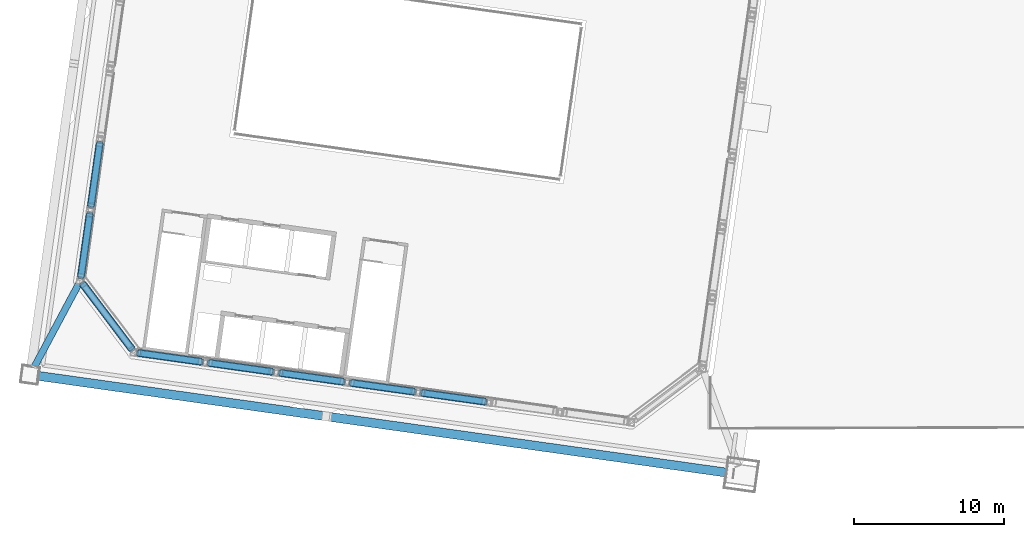
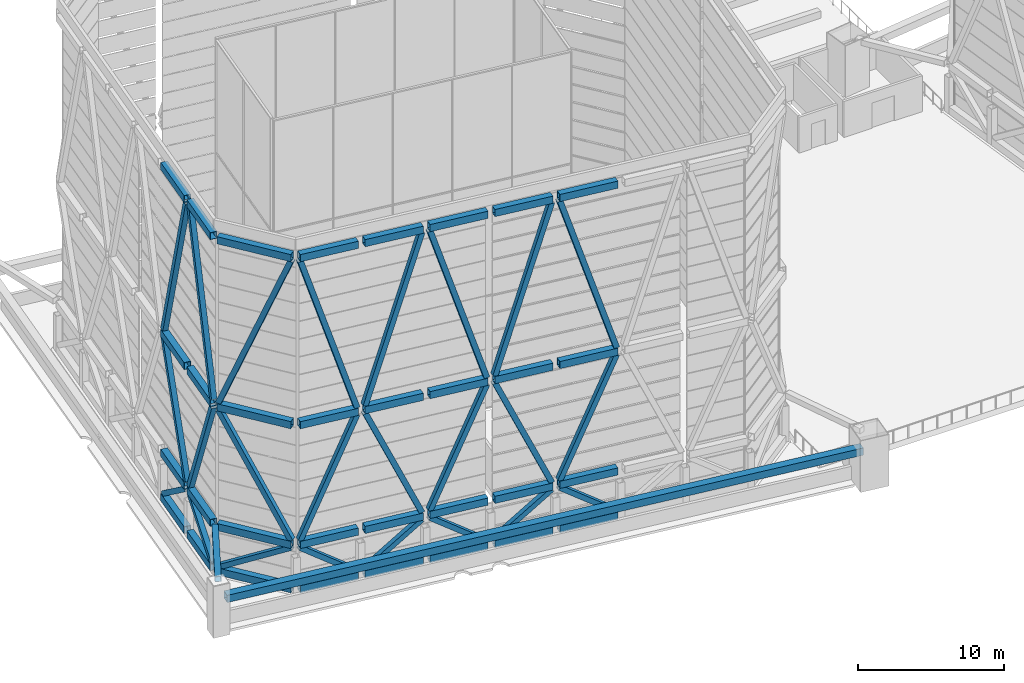
# One storey, part 3 of 45: 32 beams, 26 members.
"""IFC4 building model written with IfcOpenShell, lengths in metres."""

from ifc_helpers import new_model, si_unit, direction, frame, origin, origin_2d, place, context, subcontext, project, spatial, hollow_rectangle, extrude, material, material_profile, profile_set, type_object, element, save


model = new_model("IFC4")

# Units and contexts
model_context = context("Model", 3, precision=1e-05, world=origin(), true_north=direction((0.0, 1.0)))
body_context = subcontext(model_context, "Body", "Model", "MODEL_VIEW")
ifc_project = project(units=[si_unit("LENGTHUNIT", "METRE"), si_unit("AREAUNIT", "SQUARE_METRE"), si_unit("VOLUMEUNIT", "CUBIC_METRE"), si_unit("PLANEANGLEUNIT", "RADIAN"), si_unit("MASSUNIT", "GRAM", prefix="KILO")], contexts=[model_context])

# Site, building, storey
site_placement = place(None, origin())
site = spatial("IfcSite", under=ifc_project, at=site_placement, CompositionType="ELEMENT")
building_placement = place(site_placement, origin())
building = spatial("IfcBuilding", under=site, at=building_placement, Name="Mirante Cascada Hotel Towers", CompositionType="ELEMENT")
storey_placement = place(building_placement, frame((0.0, 0.0, 269.8)))
storey = spatial("IfcBuildingStorey", under=building, at=storey_placement, Name="Roof garden", CompositionType="ELEMENT", Elevation=269.8)

# Beams
ifc_material_1 = material(Name="Steel ASTM A572 Gr 50", Category="steel")
ifc_material_profile_1 = material_profile(ifc_material_1, hollow_rectangle(XDim=0.5, YDim=0.6, WallThickness=0.03, at=origin_2d()), Name="Box beam 600x500x30 ASTM A572 Gr 50")
ifc_profile_set_1 = profile_set([ifc_material_profile_1], Name="Steel ASTM A572 Gr 50")
beam_type = type_object("IfcBeamType", Name="Box beam 600x500x30 ASTM A572 Gr 50", PredefinedType="BEAM", material=ifc_profile_set_1)
for number, where, z_axis, x_axis, name in (
    (1, (-56.9904, -3.2773, 0.3), (-0.1391888, -0.9902659, 0.0), (0.9902659, -0.1391888, 0.0), "CROWN FRAME ring beam T1 21"),
    (2, (-57.6545, -8.0021, 0.3), (-0.1391659, -0.9902691, 0.0), (0.9902691, -0.1391659, 0.0), "CROWN FRAME ring beam T1 22"),
):
    element("IfcBeam", number, at=place(storey_placement, frame(where, z_axis=z_axis, x_axis=x_axis)), inside=storey, type_object=beam_type, Name=name, PredefinedType="BEAM", context=body_context, shape_type="SweptSolid", body=[
        extrude(hollow_rectangle(XDim=0.5, YDim=0.6, WallThickness=0.03, at=origin_2d()), origin(), (0.0, 0.0, 1.0), 4.2712),
    ])
beam_1_placement = place(storey_placement, frame((-58.1332, -12.6789, 0.3), z_axis=(0.6018021, -0.7986453, 0.0), x_axis=(0.7986453, 0.6018021, 0.0)))
element("IfcBeam", 3, at=beam_1_placement, inside=storey, type_object=beam_type, Name="CROWN FRAME ring beam T1 23", PredefinedType="BEAM", context=body_context, shape_type="SweptSolid", body=[
    extrude(hollow_rectangle(XDim=0.5, YDim=0.6, WallThickness=0.03, at=origin_2d()), origin(), (0.0, 0.0, 1.0), 5.4912),
])
for number, where, z_axis, x_axis, name in (
    (4, (-54.4305, -17.2988, 0.3), (0.9902679, -0.1391744, 0.0), (0.1391744, 0.9902679, 0.0), "CROWN FRAME ring beam T1 24"),
    (5, (-49.6896, -17.9651, 0.3), (0.9902679, -0.1391744, 0.0), (0.1391744, 0.9902679, 0.0), "CROWN FRAME ring beam T1 25"),
    (6, (-44.9487, -18.6314, 0.3), (0.9902679, -0.1391744, 0.0), (0.1391744, 0.9902679, 0.0), "CROWN FRAME ring beam T1 26"),
):
    element("IfcBeam", number, at=place(storey_placement, frame(where, z_axis=z_axis, x_axis=x_axis)), inside=storey, type_object=beam_type, Name=name, PredefinedType="BEAM", context=body_context, shape_type="SweptSolid", body=[
        extrude(hollow_rectangle(XDim=0.5, YDim=0.6, WallThickness=0.03, at=origin_2d()), origin(), (0.0, 0.0, 1.0), 4.2874),
    ])
for number, where, z_axis, x_axis, name in (
    (7, (-40.2079, -19.2977, 0.3), (0.9902683, -0.1391712, 0.0), (0.1391712, 0.9902683, 0.0), "CROWN FRAME ring beam T1 27"),
    (8, (-35.467, -19.964, 0.3), (0.9902683, -0.1391712, 0.0), (0.1391712, 0.9902683, 0.0), "CROWN FRAME ring beam T1 28"),
):
    element("IfcBeam", number, at=place(storey_placement, frame(where, z_axis=z_axis, x_axis=x_axis)), inside=storey, type_object=beam_type, Name=name, PredefinedType="BEAM", context=body_context, shape_type="SweptSolid", body=[
        extrude(hollow_rectangle(XDim=0.5, YDim=0.6, WallThickness=0.03, at=origin_2d()), origin(), (0.0, 0.0, 1.0), 4.2875),
    ])
for number, where, z_axis, x_axis, name in (
    (9, (-56.9904, -3.2773, 4.0), (-0.1391888, -0.9902659, 0.0), (0.9902659, -0.1391888, 0.0), "CROWN FRAME ring beam T1 51"),
    (10, (-57.6545, -8.0021, 4.0), (-0.1391659, -0.9902691, 0.0), (0.9902691, -0.1391659, 0.0), "CROWN FRAME ring beam T1 52"),
):
    element("IfcBeam", number, at=place(storey_placement, frame(where, z_axis=z_axis, x_axis=x_axis)), inside=storey, type_object=beam_type, Name=name, PredefinedType="BEAM", context=body_context, shape_type="SweptSolid", body=[
        extrude(hollow_rectangle(XDim=0.5, YDim=0.6, WallThickness=0.03, at=origin_2d()), origin(), (0.0, 0.0, 1.0), 4.2712),
    ])
beam_2_placement = place(storey_placement, frame((-58.1332, -12.6789, 4.0), z_axis=(0.6018021, -0.7986453, 0.0), x_axis=(0.7986453, 0.6018021, 0.0)))
element("IfcBeam", 11, at=beam_2_placement, inside=storey, type_object=beam_type, Name="CROWN FRAME ring beam T1 53", PredefinedType="BEAM", context=body_context, shape_type="SweptSolid", body=[
    extrude(hollow_rectangle(XDim=0.5, YDim=0.6, WallThickness=0.03, at=origin_2d()), origin(), (0.0, 0.0, 1.0), 5.4912),
])
for number, where, z_axis, x_axis, name in (
    (12, (-54.4305, -17.2988, 4.0), (0.9902679, -0.1391744, 0.0), (0.1391744, 0.9902679, 0.0), "CROWN FRAME ring beam T1 54"),
    (13, (-49.6896, -17.9651, 4.0), (0.9902679, -0.1391744, 0.0), (0.1391744, 0.9902679, 0.0), "CROWN FRAME ring beam T1 55"),
    (14, (-44.9487, -18.6314, 4.0), (0.9902679, -0.1391744, 0.0), (0.1391744, 0.9902679, 0.0), "CROWN FRAME ring beam T1 56"),
):
    element("IfcBeam", number, at=place(storey_placement, frame(where, z_axis=z_axis, x_axis=x_axis)), inside=storey, type_object=beam_type, Name=name, PredefinedType="BEAM", context=body_context, shape_type="SweptSolid", body=[
        extrude(hollow_rectangle(XDim=0.5, YDim=0.6, WallThickness=0.03, at=origin_2d()), origin(), (0.0, 0.0, 1.0), 4.2874),
    ])
for number, where, z_axis, x_axis, name in (
    (15, (-40.2079, -19.2977, 4.0), (0.9902683, -0.1391712, 0.0), (0.1391712, 0.9902683, 0.0), "CROWN FRAME ring beam T1 57"),
    (16, (-35.467, -19.964, 4.0), (0.9902683, -0.1391712, 0.0), (0.1391712, 0.9902683, 0.0), "CROWN FRAME ring beam T1 58"),
):
    element("IfcBeam", number, at=place(storey_placement, frame(where, z_axis=z_axis, x_axis=x_axis)), inside=storey, type_object=beam_type, Name=name, PredefinedType="BEAM", context=body_context, shape_type="SweptSolid", body=[
        extrude(hollow_rectangle(XDim=0.5, YDim=0.6, WallThickness=0.03, at=origin_2d()), origin(), (0.0, 0.0, 1.0), 4.2875),
    ])
for number, where, z_axis, x_axis, name in (
    (17, (-56.9904, -3.2773, 14.0), (-0.1391888, -0.9902659, 0.0), (0.9902659, -0.1391888, 0.0), "CROWN FRAME ring beam T1 81"),
    (18, (-57.6545, -8.0021, 14.0), (-0.1391659, -0.9902691, 0.0), (0.9902691, -0.1391659, 0.0), "CROWN FRAME ring beam T1 82"),
):
    element("IfcBeam", number, at=place(storey_placement, frame(where, z_axis=z_axis, x_axis=x_axis)), inside=storey, type_object=beam_type, Name=name, PredefinedType="BEAM", context=body_context, shape_type="SweptSolid", body=[
        extrude(hollow_rectangle(XDim=0.5, YDim=0.6, WallThickness=0.03, at=origin_2d()), origin(), (0.0, 0.0, 1.0), 4.2712),
    ])
beam_3_placement = place(storey_placement, frame((-58.1332, -12.6789, 14.0), z_axis=(0.6018021, -0.7986453, 0.0), x_axis=(0.7986453, 0.6018021, 0.0)))
element("IfcBeam", 19, at=beam_3_placement, inside=storey, type_object=beam_type, Name="CROWN FRAME ring beam T1 83", PredefinedType="BEAM", context=body_context, shape_type="SweptSolid", body=[
    extrude(hollow_rectangle(XDim=0.5, YDim=0.6, WallThickness=0.03, at=origin_2d()), origin(), (0.0, 0.0, 1.0), 5.4912),
])
for number, where, z_axis, x_axis, name in (
    (20, (-54.4305, -17.2988, 14.0), (0.9902679, -0.1391744, 0.0), (0.1391744, 0.9902679, 0.0), "CROWN FRAME ring beam T1 84"),
    (21, (-49.6896, -17.9651, 14.0), (0.9902679, -0.1391744, 0.0), (0.1391744, 0.9902679, 0.0), "CROWN FRAME ring beam T1 85"),
    (22, (-44.9487, -18.6314, 14.0), (0.9902679, -0.1391744, 0.0), (0.1391744, 0.9902679, 0.0), "CROWN FRAME ring beam T1 86"),
):
    element("IfcBeam", number, at=place(storey_placement, frame(where, z_axis=z_axis, x_axis=x_axis)), inside=storey, type_object=beam_type, Name=name, PredefinedType="BEAM", context=body_context, shape_type="SweptSolid", body=[
        extrude(hollow_rectangle(XDim=0.5, YDim=0.6, WallThickness=0.03, at=origin_2d()), origin(), (0.0, 0.0, 1.0), 4.2874),
    ])
for number, where, z_axis, x_axis, name in (
    (23, (-40.2079, -19.2977, 14.0), (0.9902683, -0.1391712, 0.0), (0.1391712, 0.9902683, 0.0), "CROWN FRAME ring beam T1 87"),
    (24, (-35.467, -19.964, 14.0), (0.9902683, -0.1391712, 0.0), (0.1391712, 0.9902683, 0.0), "CROWN FRAME ring beam T1 88"),
):
    element("IfcBeam", number, at=place(storey_placement, frame(where, z_axis=z_axis, x_axis=x_axis)), inside=storey, type_object=beam_type, Name=name, PredefinedType="BEAM", context=body_context, shape_type="SweptSolid", body=[
        extrude(hollow_rectangle(XDim=0.5, YDim=0.6, WallThickness=0.03, at=origin_2d()), origin(), (0.0, 0.0, 1.0), 4.2875),
    ])
for number, where, z_axis, x_axis, name in (
    (25, (-56.9904, -3.2773, 27.95), (-0.1391888, -0.9902659, 0.0), (0.9902659, -0.1391888, 0.0), "CROWN FRAME ring beam T1 111"),
    (26, (-57.6545, -8.0021, 27.95), (-0.1391659, -0.9902691, 0.0), (0.9902691, -0.1391659, 0.0), "CROWN FRAME ring beam T1 112"),
):
    element("IfcBeam", number, at=place(storey_placement, frame(where, z_axis=z_axis, x_axis=x_axis)), inside=storey, type_object=beam_type, Name=name, PredefinedType="BEAM", context=body_context, shape_type="SweptSolid", body=[
        extrude(hollow_rectangle(XDim=0.5, YDim=0.6, WallThickness=0.03, at=origin_2d()), origin(), (0.0, 0.0, 1.0), 4.2712),
    ])
beam_4_placement = place(storey_placement, frame((-58.1332, -12.6789, 27.95), z_axis=(0.6018021, -0.7986453, 0.0), x_axis=(0.7986453, 0.6018021, 0.0)))
element("IfcBeam", 27, at=beam_4_placement, inside=storey, type_object=beam_type, Name="CROWN FRAME ring beam T1 113", PredefinedType="BEAM", context=body_context, shape_type="SweptSolid", body=[
    extrude(hollow_rectangle(XDim=0.5, YDim=0.6, WallThickness=0.03, at=origin_2d()), origin(), (0.0, 0.0, 1.0), 5.4912),
])
for number, where, z_axis, x_axis, name in (
    (28, (-54.4305, -17.2988, 27.95), (0.9902679, -0.1391744, 0.0), (0.1391744, 0.9902679, 0.0), "CROWN FRAME ring beam T1 114"),
    (29, (-49.6896, -17.9651, 27.95), (0.9902679, -0.1391744, 0.0), (0.1391744, 0.9902679, 0.0), "CROWN FRAME ring beam T1 115"),
    (30, (-44.9487, -18.6314, 27.95), (0.9902679, -0.1391744, 0.0), (0.1391744, 0.9902679, 0.0), "CROWN FRAME ring beam T1 116"),
):
    element("IfcBeam", number, at=place(storey_placement, frame(where, z_axis=z_axis, x_axis=x_axis)), inside=storey, type_object=beam_type, Name=name, PredefinedType="BEAM", context=body_context, shape_type="SweptSolid", body=[
        extrude(hollow_rectangle(XDim=0.5, YDim=0.6, WallThickness=0.03, at=origin_2d()), origin(), (0.0, 0.0, 1.0), 4.2874),
    ])
for number, where, z_axis, x_axis, name in (
    (31, (-40.2079, -19.2977, 27.95), (0.9902683, -0.1391712, 0.0), (0.1391712, 0.9902683, 0.0), "CROWN FRAME ring beam T1 117"),
    (32, (-35.467, -19.964, 27.95), (0.9902683, -0.1391712, 0.0), (0.1391712, 0.9902683, 0.0), "CROWN FRAME ring beam T1 118"),
):
    element("IfcBeam", number, at=place(storey_placement, frame(where, z_axis=z_axis, x_axis=x_axis)), inside=storey, type_object=beam_type, Name=name, PredefinedType="BEAM", context=body_context, shape_type="SweptSolid", body=[
        extrude(hollow_rectangle(XDim=0.5, YDim=0.6, WallThickness=0.03, at=origin_2d()), origin(), (0.0, 0.0, 1.0), 4.2875),
    ])

# Members
ifc_material_2 = material(Name="Steel ASTM A572 Gr 50", Category="steel")
ifc_material_profile_2 = material_profile(ifc_material_2, hollow_rectangle(XDim=0.4, YDim=0.4, WallThickness=0.025, at=origin_2d()), Name="Box brace 400x400x25 ASTM A572 Gr 50")
ifc_profile_set_2 = profile_set([ifc_material_profile_2], Name="Steel ASTM A572 Gr 50")
member_type_1 = type_object("IfcMemberType", Name="Box brace 400x400x25 ASTM A572 Gr 50", PredefinedType="BRACE", material=ifc_profile_set_2)
for number, where, z_axis, x_axis, name in (
    (33, (-56.9974, -3.3268, 0.6), (-0.111699, -0.7948043, 0.5964977), (0.9902687, -0.1391689, 0.0), "Hat truss diagonal T1 21"),
    (34, (-58.2419, -12.1822, 0.6), (0.111699, 0.7948043, 0.5964977), (-0.9902687, 0.1391689, 0.0), "Hat truss diagonal T1 22"),
):
    element("IfcMember", number, at=place(storey_placement, frame(where, z_axis=z_axis, x_axis=x_axis)), inside=storey, type_object=member_type_1, Name=name, PredefinedType="BRACE", context=body_context, shape_type="SweptSolid", body=[
        extrude(hollow_rectangle(XDim=0.4, YDim=0.4, WallThickness=0.025, at=origin_2d()), origin(), (0.0, 0.0, 1.0), 5.197),
    ])
member_1_placement = place(storey_placement, frame((-58.1031, -12.7188, 0.6), z_axis=(0.5217026, -0.6923446, 0.498483), x_axis=(0.7986446, 0.6018029, 0.0)))
element("IfcMember", 35, at=member_1_placement, inside=storey, type_object=member_type_1, Name="Hat truss diagonal T1 23", PredefinedType="BRACE", context=body_context, shape_type="SweptSolid", body=[
    extrude(hollow_rectangle(XDim=0.4, YDim=0.4, WallThickness=0.025, at=origin_2d()), origin(), (0.0, 0.0, 1.0), 6.2189),
])
for number, where, z_axis, x_axis, name in (
    (36, (-50.2343, -17.8886, 0.6), (-0.7959018, 0.1118604, 0.5950022), (-0.1391776, -0.9902674, 0.0), "Hat truss diagonal T1 24"),
    (37, (-49.6401, -17.9721, 0.6), (0.7959035, -0.1118415, 0.5950035), (0.1391542, 0.9902707, 0.0), "Hat truss diagonal T1 25"),
    (38, (-40.7525, -19.2211, 0.6), (-0.7959035, 0.1118415, 0.5950035), (-0.1391542, -0.9902707, 0.0), "Hat truss diagonal T1 26"),
    (39, (-40.1583, -19.3046, 0.6), (0.7959018, -0.1118604, 0.5950022), (0.1391776, 0.9902674, 0.0), "Hat truss diagonal T1 27"),
    (40, (-31.2707, -20.5537, 0.6), (-0.7959018, 0.1118604, 0.5950022), (-0.1391776, -0.9902674, 0.0), "Hat truss diagonal T1 28"),
):
    element("IfcMember", number, at=place(storey_placement, frame(where, z_axis=z_axis, x_axis=x_axis)), inside=storey, type_object=member_type_1, Name=name, PredefinedType="BRACE", context=body_context, shape_type="SweptSolid", body=[
        extrude(hollow_rectangle(XDim=0.4, YDim=0.4, WallThickness=0.025, at=origin_2d()), origin(), (0.0, 0.0, 1.0), 5.2101),
    ])
for number, where, z_axis, x_axis, name in (
    (41, (-57.5779, -7.4574, 4.3), (0.0564474, 0.4016565, 0.9140491), (-0.9902687, 0.1391689, 0.0), "CROWN FRAME brace T1 51"),
    (42, (-57.6614, -8.0516, 4.3), (-0.0564474, -0.4016565, 0.9140491), (0.9902687, -0.1391689, 0.0), "CROWN FRAME brace T1 52"),
):
    element("IfcMember", number, at=place(storey_placement, frame(where, z_axis=z_axis, x_axis=x_axis)), inside=storey, type_object=member_type_1, Name=name, PredefinedType="BRACE", context=body_context, shape_type="SweptSolid", body=[
        extrude(hollow_rectangle(XDim=0.4, YDim=0.4, WallThickness=0.025, at=origin_2d()), origin(), (0.0, 0.0, 1.0), 10.2839),
    ])
member_2_placement = place(storey_placement, frame((-54.8587, -17.0244, 4.3), z_axis=(-0.2994025, 0.397333, 0.8674587), x_axis=(-0.7986446, -0.6018029, 0.0)))
element("IfcMember", 43, at=member_2_placement, inside=storey, type_object=member_type_1, Name="CROWN FRAME brace T1 53", PredefinedType="BRACE", context=body_context, shape_type="SweptSolid", body=[
    extrude(hollow_rectangle(XDim=0.4, YDim=0.4, WallThickness=0.025, at=origin_2d()), origin(), (0.0, 0.0, 1.0), 10.8363),
])
for number, where, z_axis, x_axis, name in (
    (44, (-54.381, -17.3058, 4.3), (0.4029632, -0.0566347, 0.9134622), (0.1391776, 0.9902674, 0.0), "CROWN FRAME brace T1 54"),
    (45, (-45.4934, -18.5548, 4.3), (-0.4029634, 0.056625, 0.9134627), (-0.1391542, -0.9902707, 0.0), "CROWN FRAME brace T1 55"),
    (46, (-44.8992, -18.6384, 4.3), (0.4029634, -0.056625, 0.9134627), (0.1391542, 0.9902707, 0.0), "CROWN FRAME brace T1 56"),
    (47, (-36.0116, -19.8874, 4.3), (-0.4029632, 0.0566347, 0.9134622), (-0.1391776, -0.9902674, 0.0), "CROWN FRAME brace T1 57"),
    (48, (-35.4174, -19.9709, 4.3), (0.4029632, -0.0566347, 0.9134622), (0.1391776, 0.9902674, 0.0), "CROWN FRAME brace T1 58"),
):
    element("IfcMember", number, at=place(storey_placement, frame(where, z_axis=z_axis, x_axis=x_axis)), inside=storey, type_object=member_type_1, Name=name, PredefinedType="BRACE", context=body_context, shape_type="SweptSolid", body=[
        extrude(hollow_rectangle(XDim=0.4, YDim=0.4, WallThickness=0.025, at=origin_2d()), origin(), (0.0, 0.0, 1.0), 10.2905),
    ])
for number, where, z_axis, x_axis, name in (
    (49, (-56.9974, -3.3268, 14.3), (-0.0415044, -0.2953283, 0.9544939), (0.9902687, -0.1391689, 0.0), "CROWN FRAME brace T1 81"),
    (50, (-58.2419, -12.1822, 14.3), (0.0415044, 0.2953283, 0.9544939), (-0.9902687, 0.1391689, 0.0), "CROWN FRAME brace T1 82"),
):
    element("IfcMember", number, at=place(storey_placement, frame(where, z_axis=z_axis, x_axis=x_axis)), inside=storey, type_object=member_type_1, Name=name, PredefinedType="BRACE", context=body_context, shape_type="SweptSolid", body=[
        extrude(hollow_rectangle(XDim=0.4, YDim=0.4, WallThickness=0.025, at=origin_2d()), origin(), (0.0, 0.0, 1.0), 13.9865),
    ])
member_3_placement = place(storey_placement, frame((-58.1031, -12.7188, 14.3), z_axis=(0.2253453, -0.2990528, 0.927247), x_axis=(0.7986446, 0.6018029, 0.0)))
element("IfcMember", 51, at=member_3_placement, inside=storey, type_object=member_type_1, Name="CROWN FRAME brace T1 83", PredefinedType="BRACE", context=body_context, shape_type="SweptSolid", body=[
    extrude(hollow_rectangle(XDim=0.4, YDim=0.4, WallThickness=0.025, at=origin_2d()), origin(), (0.0, 0.0, 1.0), 14.3975),
])
for number, where, z_axis, x_axis, name in (
    (52, (-50.2343, -17.8886, 14.3), (-0.2963764, 0.0416544, 0.9541624), (-0.1391776, -0.9902674, 0.0), "CROWN FRAME brace T1 84"),
    (53, (-49.6401, -17.9721, 14.3), (0.2963765, -0.0416472, 0.9541627), (0.1391542, 0.9902707, 0.0), "CROWN FRAME brace T1 85"),
    (54, (-40.7525, -19.2211, 14.3), (-0.2963765, 0.0416472, 0.9541627), (-0.1391542, -0.9902707, 0.0), "CROWN FRAME brace T1 86"),
    (55, (-40.1583, -19.3046, 14.3), (0.2963764, -0.0416544, 0.9541624), (0.1391776, 0.9902674, 0.0), "CROWN FRAME brace T1 87"),
    (56, (-31.2707, -20.5537, 14.3), (-0.2963764, 0.0416544, 0.9541624), (-0.1391776, -0.9902674, 0.0), "CROWN FRAME brace T1 88"),
):
    element("IfcMember", number, at=place(storey_placement, frame(where, z_axis=z_axis, x_axis=x_axis)), inside=storey, type_object=member_type_1, Name=name, PredefinedType="BRACE", context=body_context, shape_type="SweptSolid", body=[
        extrude(hollow_rectangle(XDim=0.4, YDim=0.4, WallThickness=0.025, at=origin_2d()), origin(), (0.0, 0.0, 1.0), 13.9913),
    ])
ifc_material_3 = material(Name="Steel ASTM A572 Gr 50", Category="steel")
ifc_material_profile_3 = material_profile(ifc_material_3, hollow_rectangle(XDim=0.6, YDim=0.6, WallThickness=0.04, at=origin_2d()), Name="Box chord 600x600x40 ASTM A572 Gr 50")
ifc_profile_set_3 = profile_set([ifc_material_profile_3], Name="Steel ASTM A572 Gr 50")
member_type_2 = type_object("IfcMemberType", Name="Box chord 600x600x40 ASTM A572 Gr 50", PredefinedType="CHORD", material=ifc_profile_set_3)
member_4_placement = place(storey_placement, frame((-14.6324, -25.3662, 2.8), z_axis=(-0.990268, 0.1391734, 0.0), x_axis=(-0.1391734, -0.990268, 0.0)))
element("IfcMember", 57, at=member_4_placement, inside=storey, type_object=member_type_2, Name="exochord T1 Roof garden 2", PredefinedType="CHORD", context=body_context, shape_type="SweptSolid", body=[
    extrude(hollow_rectangle(XDim=0.6, YDim=0.6, WallThickness=0.04, at=origin_2d()), origin(), (0.0, 0.0, 1.0), 46.94),
])
ifc_material_4 = material(Name="Steel ASTM A572 Gr 50", Category="steel")
ifc_material_profile_4 = material_profile(ifc_material_4, hollow_rectangle(XDim=0.45, YDim=0.45, WallThickness=0.03, at=origin_2d()), Name="Box tie 450x450x30 ASTM A572 Gr 50")
ifc_profile_set_4 = profile_set([ifc_material_profile_4], Name="Steel ASTM A572 Gr 50")
member_type_3 = type_object("IfcMemberType", Name="Box tie 450x450x30 ASTM A572 Gr 50", PredefinedType="STRUT", material=ifc_profile_set_4)
member_5_placement = place(storey_placement, frame((-61.3643, -18.243, 4.0), z_axis=(0.4713771, 0.8819318, 0.0), x_axis=(-0.8819318, 0.4713771, 0.0)))
element("IfcMember", 58, at=member_5_placement, inside=storey, type_object=member_type_3, Name="CROWN FRAME tie T1 4", PredefinedType="STRUT", context=body_context, shape_type="SweptSolid", body=[
    extrude(hollow_rectangle(XDim=0.45, YDim=0.45, WallThickness=0.03, at=origin_2d()), origin(), (0.0, 0.0, 1.0), 6.2691),
])

save(model, "model.ifc")
